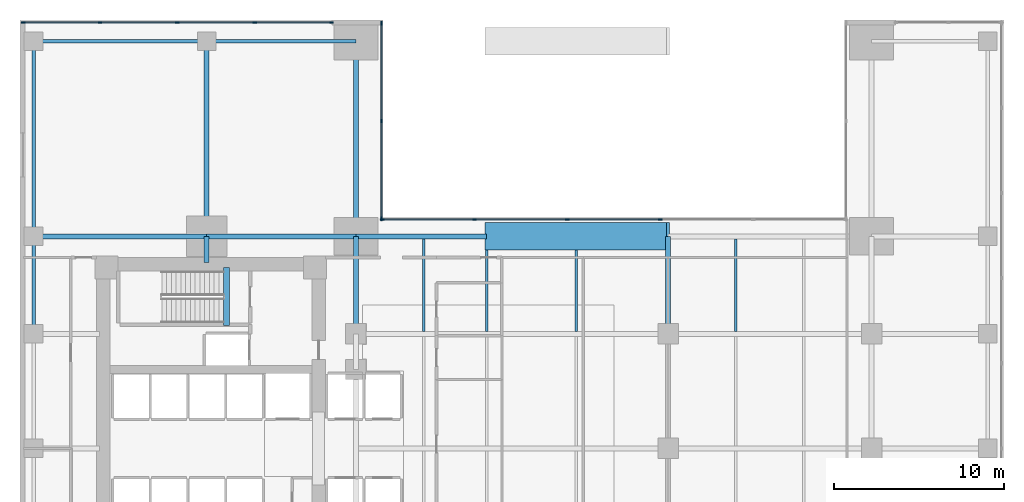
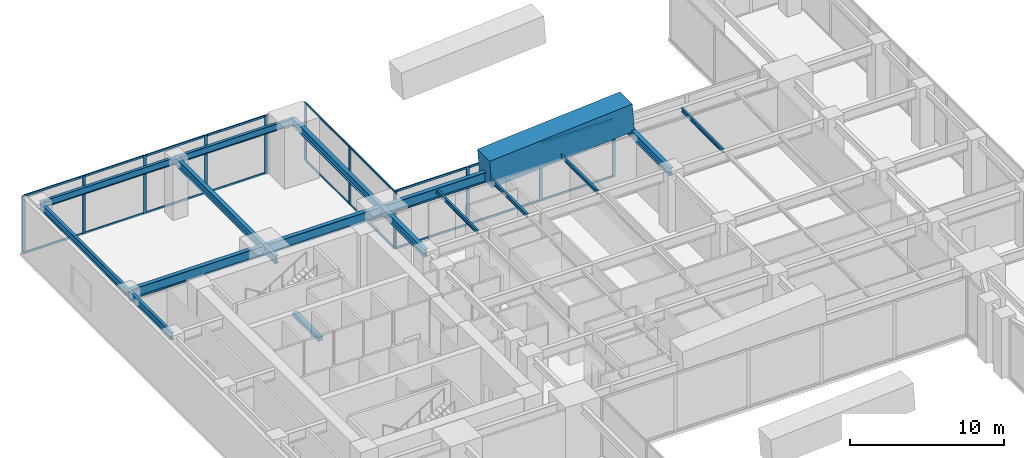
# One storey, part 5 of 13: 30 members, 18 beams, 3 elements without a shape of their own.
"""IFC4 building model written with IfcOpenShell, lengths in metres."""

from ifc_helpers import new_model, si_unit, direction, frame, origin, origin_2d, place, context, subcontext, project, spatial, rectangle, i_section, extrude, material, layer, layer_set, material_profile, profile_set, type_object, element, aggregate, save


model = new_model("IFC4")

# Units and contexts
model_context = context("Model", 3, precision=1e-05, world=origin(), true_north=direction((0.0, 1.0)))
body_context = subcontext(model_context, "Body", "Model", "MODEL_VIEW")
ifc_project = project(units=[si_unit("LENGTHUNIT", "METRE"), si_unit("AREAUNIT", "SQUARE_METRE"), si_unit("VOLUMEUNIT", "CUBIC_METRE"), si_unit("PLANEANGLEUNIT", "RADIAN"), si_unit("MASSUNIT", "GRAM", prefix="KILO")], contexts=[model_context])

# Site, building, storey
site_placement = place(None, origin())
site = spatial("IfcSite", under=ifc_project, at=site_placement, CompositionType="ELEMENT")
building_placement = place(site_placement, origin())
building = spatial("IfcBuilding", under=site, at=building_placement, Name="Kinhvarn Gate Tower", CompositionType="ELEMENT")
storey_placement = place(building_placement, frame((0.0, 0.0, 10.800048828125)))
storey = spatial("IfcBuildingStorey", under=building, at=storey_placement, Name="L02", CompositionType="ELEMENT", Elevation=10.800048828125)

# Beams
ifc_material_1 = material(Name="Concrete C70/85", Category="concrete")
ifc_material_profile_1 = material_profile(ifc_material_1, rectangle(XDim=1.60009765625, YDim=2.199951171875, at=origin_2d()), Name="RC 1600x2200")
ifc_profile_set_1 = profile_set([ifc_material_profile_1], Name="Concrete C70/85")
beam_type_1 = type_object("IfcBeamType", Name="BM-AR-2200", PredefinedType="BEAM", material=ifc_profile_set_1)
beam_1_placement = place(storey_placement, frame((27.5, 37.75, 4.800048828125), z_axis=(0.997217987756, 0.0, 0.074540491658), x_axis=(0.0, 1.0, 0.0)))
element("IfcBeam", 1, at=beam_1_placement, inside=storey, type_object=beam_type_1, Name="Portal Arch Crown Rib AR-02-3", PredefinedType="BEAM", context=body_context, shape_type="SweptSolid", body=[
    extrude(rectangle(XDim=1.60009765625, YDim=2.199951171875, at=origin_2d()), origin(), (0.0, 0.0, 1.0), 10.729736328125),
])
ifc_material_2 = material(Name="Concrete C50/60", Category="concrete")
ifc_material_profile_2 = material_profile(ifc_material_2, rectangle(XDim=0.340087890625, YDim=0.320068359375, at=origin_2d()), Name="RC 340x320")
ifc_profile_set_2 = profile_set([ifc_material_profile_2], Name="Concrete C50/60")
beam_type_2 = type_object("IfcBeamType", Name="BM-LND-500", PredefinedType="BEAM", material=ifc_profile_set_2)
beam_2_placement = place(storey_placement, frame((12.1650390625, 32.5, -0.16015625), z_axis=(0.0, 1.0, 0.0), x_axis=(-1.0, 0.0, 0.0)))
element("IfcBeam", 2, at=beam_2_placement, inside=storey, type_object=beam_type_2, Name="Stair ST2 Landing Nosing Beam (L02)", PredefinedType="BEAM", context=body_context, shape_type="SweptSolid", body=[
    extrude(rectangle(XDim=0.340087890625, YDim=0.320068359375, at=origin_2d()), origin(), (0.0, 0.0, 1.0), 3.39990234375),
])

# Curtain wall, members
ifc_material_3 = material(Name="Anodised aluminium AW-6063", Category="aluminium")
ifc_layer = layer(ifc_material_3, 0.219970703125)
ifc_layer_set = layer_set([ifc_layer], Name="Anodised aluminium AW-6063")
curtain_wall_type = type_object("IfcCurtainWallType", Name="CW-SYS-1", PredefinedType="NOTDEFINED", material=ifc_layer_set)
curtain_wall_1_placement = place(storey_placement, origin())
curtain_wall_1 = element("IfcCurtainWall", 3, at=curtain_wall_1_placement, inside=storey, type_object=curtain_wall_type, Name="Curtain Wall CW1 (L02)", PredefinedType="NOTDEFINED")
ifc_material_profile_3 = material_profile(ifc_material_3, rectangle(XDim=0.080078125, YDim=0.219970703125, at=origin_2d()), Name="ALU 80x220")
ifc_profile_set_3 = profile_set([ifc_material_profile_3], Name="Anodised aluminium AW-6063")
member_type_1 = type_object("IfcMemberType", Name="CW-MUL-220", PredefinedType="MULLION", material=ifc_profile_set_3)
member_1_placement = place(storey_placement, frame((18.360107421875, 50.35009765625, 0.0), z_axis=(0.0, 0.0, 1.0), x_axis=(0.0, -1.0, 0.0)))
member_1 = element("IfcMember", 4, at=member_1_placement, type_object=member_type_1, Name="CW1 mullion 1", PredefinedType="MULLION", context=body_context, shape_type="SweptSolid", body=[
    extrude(rectangle(XDim=0.080078125, YDim=0.219970703125, at=origin_2d()), origin(), (0.0, 0.0, 1.0), 4.599853515625),
])
member_2_placement = place(storey_placement, frame((13.83740234375, 50.35009765625, 0.0), z_axis=(0.0, 0.0, 1.0), x_axis=(0.0, -1.0, 0.0)))
member_2 = element("IfcMember", 5, at=member_2_placement, type_object=member_type_1, Name="CW1 mullion 2", PredefinedType="MULLION", context=body_context, shape_type="SweptSolid", body=[
    extrude(rectangle(XDim=0.080078125, YDim=0.219970703125, at=origin_2d()), origin(), (0.0, 0.0, 1.0), 4.599853515625),
])
member_3_placement = place(storey_placement, frame((9.27490234375, 50.35009765625, 0.0), z_axis=(0.0, 0.0, 1.0), x_axis=(0.0, -1.0, 0.0)))
member_3 = element("IfcMember", 6, at=member_3_placement, type_object=member_type_1, Name="CW1 mullion 3", PredefinedType="MULLION", context=body_context, shape_type="SweptSolid", body=[
    extrude(rectangle(XDim=0.080078125, YDim=0.219970703125, at=origin_2d()), origin(), (0.0, 0.0, 1.0), 4.599853515625),
])
member_4_placement = place(storey_placement, frame((4.71240234375, 50.35009765625, 0.0), z_axis=(0.0, 0.0, 1.0), x_axis=(0.0, -1.0, 0.0)))
member_4 = element("IfcMember", 7, at=member_4_placement, type_object=member_type_1, Name="CW1 mullion 4", PredefinedType="MULLION", context=body_context, shape_type="SweptSolid", body=[
    extrude(rectangle(XDim=0.080078125, YDim=0.219970703125, at=origin_2d()), origin(), (0.0, 0.0, 1.0), 4.599853515625),
])
member_5_placement = place(storey_placement, frame((0.18994140625, 50.35009765625, 0.0), z_axis=(0.0, 0.0, 1.0), x_axis=(0.0, -1.0, 0.0)))
member_5 = element("IfcMember", 8, at=member_5_placement, type_object=member_type_1, Name="CW1 mullion 5", PredefinedType="MULLION", context=body_context, shape_type="SweptSolid", body=[
    extrude(rectangle(XDim=0.080078125, YDim=0.219970703125, at=origin_2d()), origin(), (0.0, 0.0, 1.0), 4.599853515625),
])

curtain_wall_2_placement = place(storey_placement, origin())
curtain_wall_2 = element("IfcCurtainWall", 9, at=curtain_wall_2_placement, inside=storey, type_object=curtain_wall_type, Name="Curtain Wall CW1 (L02)", PredefinedType="NOTDEFINED")
member_6_placement = place(storey_placement, frame((37.738037109375, 38.739990234375, 0.0), z_axis=(0.0, 0.0, 1.0), x_axis=(0.0, -1.0, 0.0)))
member_6 = element("IfcMember", 10, at=member_6_placement, type_object=member_type_1, Name="CW1 mullion 3", PredefinedType="MULLION", context=body_context, shape_type="SweptSolid", body=[
    extrude(rectangle(XDim=0.080078125, YDim=0.219970703125, at=origin_2d()), origin(), (0.0, 0.0, 1.0), 4.599853515625),
])
member_7_placement = place(storey_placement, frame((32.261962890625, 38.739990234375, 0.0), z_axis=(0.0, 0.0, 1.0), x_axis=(0.0, -1.0, 0.0)))
member_7 = element("IfcMember", 11, at=member_7_placement, type_object=member_type_1, Name="CW1 mullion 4", PredefinedType="MULLION", context=body_context, shape_type="SweptSolid", body=[
    extrude(rectangle(XDim=0.080078125, YDim=0.219970703125, at=origin_2d()), origin(), (0.0, 0.0, 1.0), 4.599853515625),
])
member_8_placement = place(storey_placement, frame((26.785888671875, 38.739990234375, 0.0), z_axis=(0.0, 0.0, 1.0), x_axis=(0.0, -1.0, 0.0)))
member_8 = element("IfcMember", 12, at=member_8_placement, type_object=member_type_1, Name="CW1 mullion 5", PredefinedType="MULLION", context=body_context, shape_type="SweptSolid", body=[
    extrude(rectangle(XDim=0.080078125, YDim=0.219970703125, at=origin_2d()), origin(), (0.0, 0.0, 1.0), 4.599853515625),
])
member_9_placement = place(storey_placement, frame((21.35009765625, 38.739990234375, 0.0), z_axis=(0.0, 0.0, 1.0), x_axis=(0.0, -1.0, 0.0)))
member_9 = element("IfcMember", 13, at=member_9_placement, type_object=member_type_1, Name="CW1 mullion 6", PredefinedType="MULLION", context=body_context, shape_type="SweptSolid", body=[
    extrude(rectangle(XDim=0.080078125, YDim=0.219970703125, at=origin_2d()), origin(), (0.0, 0.0, 1.0), 4.599853515625),
])

curtain_wall_3_placement = place(storey_placement, origin())
curtain_wall_3 = element("IfcCurtainWall", 14, at=curtain_wall_3_placement, inside=storey, type_object=curtain_wall_type, Name="Curtain Wall CW1 (L02)", PredefinedType="NOTDEFINED")
member_10_placement = place(storey_placement, frame((21.31005859375, 38.780029296875, 0.0), z_axis=(0.0, 0.0, 1.0), x_axis=(-1.0, 0.0, 0.0)))
member_10 = element("IfcMember", 15, at=member_10_placement, type_object=member_type_1, Name="CW1 mullion 1", PredefinedType="MULLION", context=body_context, shape_type="SweptSolid", body=[
    extrude(rectangle(XDim=0.080078125, YDim=0.219970703125, at=origin_2d()), origin(), (0.0, 0.0, 1.0), 4.599853515625),
])
member_11_placement = place(storey_placement, frame((21.31005859375, 44.544921875, 0.0), z_axis=(0.0, 0.0, 1.0), x_axis=(-1.0, 0.0, 0.0)))
member_11 = element("IfcMember", 16, at=member_11_placement, type_object=member_type_1, Name="CW1 mullion 2", PredefinedType="MULLION", context=body_context, shape_type="SweptSolid", body=[
    extrude(rectangle(XDim=0.080078125, YDim=0.219970703125, at=origin_2d()), origin(), (0.0, 0.0, 1.0), 4.599853515625),
])
member_12_placement = place(storey_placement, frame((21.31005859375, 50.31005859375, 0.0), z_axis=(0.0, 0.0, 1.0), x_axis=(-1.0, 0.0, 0.0)))
member_12 = element("IfcMember", 17, at=member_12_placement, type_object=member_type_1, Name="CW1 mullion 3", PredefinedType="MULLION", context=body_context, shape_type="SweptSolid", body=[
    extrude(rectangle(XDim=0.080078125, YDim=0.219970703125, at=origin_2d()), origin(), (0.0, 0.0, 1.0), 4.599853515625),
])

# Member
ifc_material_profile_4 = material_profile(ifc_material_3, rectangle(XDim=0.080078125, YDim=0.159912109375, at=origin_2d()), Name="ALU 80x160")
ifc_profile_set_4 = profile_set([ifc_material_profile_4], Name="Anodised aluminium AW-6063")
member_type_2 = type_object("IfcMemberType", Name="CW-TRN-160", PredefinedType="USERDEFINED", material=ifc_profile_set_4)
member_13_placement = place(storey_placement, frame((18.320068359375, 50.35009765625, 0.0400390625), z_axis=(-1.0, 0.0, 0.0), x_axis=(0.0, -1.0, 0.0)))
member_13 = element("IfcMember", 18, at=member_13_placement, type_object=member_type_2, Name="CW1 transom 1.1", ObjectType="TRANSOM", PredefinedType="USERDEFINED", context=body_context, shape_type="SweptSolid", body=[
    extrude(rectangle(XDim=0.080078125, YDim=0.159912109375, at=origin_2d()), origin(), (0.0, 0.0, 1.0), 4.442626953125),
])

member_14_placement = place(storey_placement, frame((18.320068359375, 50.35009765625, 4.56005859375), z_axis=(-1.0, 0.0, 0.0), x_axis=(0.0, -1.0, 0.0)))
member_14 = element("IfcMember", 19, at=member_14_placement, type_object=member_type_2, Name="CW1 transom 1.2", ObjectType="TRANSOM", PredefinedType="USERDEFINED", context=body_context, shape_type="SweptSolid", body=[
    extrude(rectangle(XDim=0.080078125, YDim=0.159912109375, at=origin_2d()), origin(), (0.0, 0.0, 1.0), 4.442626953125),
])

member_15_placement = place(storey_placement, frame((13.797607421875, 50.35009765625, 0.0400390625), z_axis=(-1.0, 0.0, 0.0), x_axis=(0.0, -1.0, 0.0)))
member_15 = element("IfcMember", 20, at=member_15_placement, type_object=member_type_2, Name="CW1 transom 2.1", ObjectType="TRANSOM", PredefinedType="USERDEFINED", context=body_context, shape_type="SweptSolid", body=[
    extrude(rectangle(XDim=0.080078125, YDim=0.159912109375, at=origin_2d()), origin(), (0.0, 0.0, 1.0), 4.482666015625),
])

member_16_placement = place(storey_placement, frame((13.797607421875, 50.35009765625, 4.56005859375), z_axis=(-1.0, 0.0, 0.0), x_axis=(0.0, -1.0, 0.0)))
member_16 = element("IfcMember", 21, at=member_16_placement, type_object=member_type_2, Name="CW1 transom 2.2", ObjectType="TRANSOM", PredefinedType="USERDEFINED", context=body_context, shape_type="SweptSolid", body=[
    extrude(rectangle(XDim=0.080078125, YDim=0.159912109375, at=origin_2d()), origin(), (0.0, 0.0, 1.0), 4.482666015625),
])

member_17_placement = place(storey_placement, frame((9.235107421875, 50.35009765625, 0.0400390625), z_axis=(-1.0, 0.0, 0.0), x_axis=(0.0, -1.0, 0.0)))
member_17 = element("IfcMember", 22, at=member_17_placement, type_object=member_type_2, Name="CW1 transom 3.1", ObjectType="TRANSOM", PredefinedType="USERDEFINED", context=body_context, shape_type="SweptSolid", body=[
    extrude(rectangle(XDim=0.080078125, YDim=0.159912109375, at=origin_2d()), origin(), (0.0, 0.0, 1.0), 4.482666015625),
])

member_18_placement = place(storey_placement, frame((9.235107421875, 50.35009765625, 4.56005859375), z_axis=(-1.0, 0.0, 0.0), x_axis=(0.0, -1.0, 0.0)))
member_18 = element("IfcMember", 23, at=member_18_placement, type_object=member_type_2, Name="CW1 transom 3.2", ObjectType="TRANSOM", PredefinedType="USERDEFINED", context=body_context, shape_type="SweptSolid", body=[
    extrude(rectangle(XDim=0.080078125, YDim=0.159912109375, at=origin_2d()), origin(), (0.0, 0.0, 1.0), 4.482666015625),
])

member_19_placement = place(storey_placement, frame((4.672607421875, 50.35009765625, 0.0400390625), z_axis=(-1.0, 0.0, 0.0), x_axis=(0.0, -1.0, 0.0)))
member_19 = element("IfcMember", 24, at=member_19_placement, type_object=member_type_2, Name="CW1 transom 4.1", ObjectType="TRANSOM", PredefinedType="USERDEFINED", context=body_context, shape_type="SweptSolid", body=[
    extrude(rectangle(XDim=0.080078125, YDim=0.159912109375, at=origin_2d()), origin(), (0.0, 0.0, 1.0), 4.442626953125),
])

member_20_placement = place(storey_placement, frame((4.672607421875, 50.35009765625, 4.56005859375), z_axis=(-1.0, 0.0, 0.0), x_axis=(0.0, -1.0, 0.0)))
member_20 = element("IfcMember", 25, at=member_20_placement, type_object=member_type_2, Name="CW1 transom 4.2", ObjectType="TRANSOM", PredefinedType="USERDEFINED", context=body_context, shape_type="SweptSolid", body=[
    extrude(rectangle(XDim=0.080078125, YDim=0.159912109375, at=origin_2d()), origin(), (0.0, 0.0, 1.0), 4.442626953125),
])

aggregate(curtain_wall_1, [member_1, member_2, member_3, member_4, member_5, member_13, member_14, member_15, member_16, member_17, member_18, member_19, member_20])

member_21_placement = place(storey_placement, frame((37.697998046875, 38.739990234375, 0.0400390625), z_axis=(-1.0, 0.0, 0.0), x_axis=(0.0, -1.0, 0.0)))
member_21 = element("IfcMember", 26, at=member_21_placement, type_object=member_type_2, Name="CW1 transom 3.1", ObjectType="TRANSOM", PredefinedType="USERDEFINED", context=body_context, shape_type="SweptSolid", body=[
    extrude(rectangle(XDim=0.080078125, YDim=0.159912109375, at=origin_2d()), origin(), (0.0, 0.0, 1.0), 5.39599609375),
])

member_22_placement = place(storey_placement, frame((37.697998046875, 38.739990234375, 4.56005859375), z_axis=(-1.0, 0.0, 0.0), x_axis=(0.0, -1.0, 0.0)))
member_22 = element("IfcMember", 27, at=member_22_placement, type_object=member_type_2, Name="CW1 transom 3.2", ObjectType="TRANSOM", PredefinedType="USERDEFINED", context=body_context, shape_type="SweptSolid", body=[
    extrude(rectangle(XDim=0.080078125, YDim=0.159912109375, at=origin_2d()), origin(), (0.0, 0.0, 1.0), 5.39599609375),
])

member_23_placement = place(storey_placement, frame((32.221923828125, 38.739990234375, 0.0400390625), z_axis=(-1.0, 0.0, 0.0), x_axis=(0.0, -1.0, 0.0)))
member_23 = element("IfcMember", 28, at=member_23_placement, type_object=member_type_2, Name="CW1 transom 4.1", ObjectType="TRANSOM", PredefinedType="USERDEFINED", context=body_context, shape_type="SweptSolid", body=[
    extrude(rectangle(XDim=0.080078125, YDim=0.159912109375, at=origin_2d()), origin(), (0.0, 0.0, 1.0), 5.39599609375),
])

member_24_placement = place(storey_placement, frame((32.221923828125, 38.739990234375, 4.56005859375), z_axis=(-1.0, 0.0, 0.0), x_axis=(0.0, -1.0, 0.0)))
member_24 = element("IfcMember", 29, at=member_24_placement, type_object=member_type_2, Name="CW1 transom 4.2", ObjectType="TRANSOM", PredefinedType="USERDEFINED", context=body_context, shape_type="SweptSolid", body=[
    extrude(rectangle(XDim=0.080078125, YDim=0.159912109375, at=origin_2d()), origin(), (0.0, 0.0, 1.0), 5.39599609375),
])

member_25_placement = place(storey_placement, frame((26.74609375, 38.739990234375, 0.0400390625), z_axis=(-1.0, 0.0, 0.0), x_axis=(0.0, -1.0, 0.0)))
member_25 = element("IfcMember", 30, at=member_25_placement, type_object=member_type_2, Name="CW1 transom 5.1", ObjectType="TRANSOM", PredefinedType="USERDEFINED", context=body_context, shape_type="SweptSolid", body=[
    extrude(rectangle(XDim=0.080078125, YDim=0.159912109375, at=origin_2d()), origin(), (0.0, 0.0, 1.0), 5.356201171875),
])

member_26_placement = place(storey_placement, frame((26.74609375, 38.739990234375, 4.56005859375), z_axis=(-1.0, 0.0, 0.0), x_axis=(0.0, -1.0, 0.0)))
member_26 = element("IfcMember", 31, at=member_26_placement, type_object=member_type_2, Name="CW1 transom 5.2", ObjectType="TRANSOM", PredefinedType="USERDEFINED", context=body_context, shape_type="SweptSolid", body=[
    extrude(rectangle(XDim=0.080078125, YDim=0.159912109375, at=origin_2d()), origin(), (0.0, 0.0, 1.0), 5.356201171875),
])

aggregate(curtain_wall_2, [member_6, member_7, member_8, member_9, member_21, member_22, member_23, member_24, member_25, member_26])

member_27_placement = place(storey_placement, frame((21.31005859375, 38.820068359375, 0.0400390625), z_axis=(0.0, 1.0, 0.0), x_axis=(-1.0, 0.0, 0.0)))
member_27 = element("IfcMember", 32, at=member_27_placement, type_object=member_type_2, Name="CW1 transom 1.1", ObjectType="TRANSOM", PredefinedType="USERDEFINED", context=body_context, shape_type="SweptSolid", body=[
    extrude(rectangle(XDim=0.080078125, YDim=0.159912109375, at=origin_2d()), origin(), (0.0, 0.0, 1.0), 5.684814453125),
])

member_28_placement = place(storey_placement, frame((21.31005859375, 38.820068359375, 4.56005859375), z_axis=(0.0, 1.0, 0.0), x_axis=(-1.0, 0.0, 0.0)))
member_28 = element("IfcMember", 33, at=member_28_placement, type_object=member_type_2, Name="CW1 transom 1.2", ObjectType="TRANSOM", PredefinedType="USERDEFINED", context=body_context, shape_type="SweptSolid", body=[
    extrude(rectangle(XDim=0.080078125, YDim=0.159912109375, at=origin_2d()), origin(), (0.0, 0.0, 1.0), 5.684814453125),
])

member_29_placement = place(storey_placement, frame((21.31005859375, 44.5849609375, 0.0400390625), z_axis=(0.0, 1.0, 0.0), x_axis=(-1.0, 0.0, 0.0)))
member_29 = element("IfcMember", 34, at=member_29_placement, type_object=member_type_2, Name="CW1 transom 2.1", ObjectType="TRANSOM", PredefinedType="USERDEFINED", context=body_context, shape_type="SweptSolid", body=[
    extrude(rectangle(XDim=0.080078125, YDim=0.159912109375, at=origin_2d()), origin(), (0.0, 0.0, 1.0), 5.68505859375),
])

member_30_placement = place(storey_placement, frame((21.31005859375, 44.5849609375, 4.56005859375), z_axis=(0.0, 1.0, 0.0), x_axis=(-1.0, 0.0, 0.0)))
member_30 = element("IfcMember", 35, at=member_30_placement, type_object=member_type_2, Name="CW1 transom 2.2", ObjectType="TRANSOM", PredefinedType="USERDEFINED", context=body_context, shape_type="SweptSolid", body=[
    extrude(rectangle(XDim=0.080078125, YDim=0.159912109375, at=origin_2d()), origin(), (0.0, 0.0, 1.0), 5.68505859375),
])

aggregate(curtain_wall_3, [member_10, member_11, member_12, member_27, member_28, member_29, member_30])

# Beams
ifc_material_4 = material(Name="Steel S355", Category="steel")
ifc_material_profile_5 = material_profile(ifc_material_4, i_section(OverallWidth=0.300048828125, OverallDepth=0.60009765625, WebThickness=0.015380859375, FlangeThickness=0.030029296875, at=origin_2d()), Name="HEB 600")
ifc_profile_set_5 = profile_set([ifc_material_profile_5], Name="Steel S355")
beam_type_3 = type_object("IfcBeamType", Name="STL-HEB600", PredefinedType="BEAM", material=ifc_profile_set_5)
beam_3_placement = place(storey_placement, frame((11.0, 36.199951171875, 4.300048828125), z_axis=(0.0, 1.0, 0.0), x_axis=(-1.0, 0.0, 0.0)))
element("IfcBeam", 36, at=beam_3_placement, inside=storey, type_object=beam_type_3, Name="Floor Beam PG-16 (L02 NS11-CN)", PredefinedType="BEAM", context=body_context, shape_type="SweptSolid", body=[
    extrude(i_section(OverallWidth=0.300048828125, OverallDepth=0.60009765625, WebThickness=0.015380859375, FlangeThickness=0.030029296875, at=origin_2d()), origin(), (0.0, 0.0, 1.0), 1.550048828125),
])
beam_4_placement = place(storey_placement, frame((11.0, 37.75, 4.300048828125), z_axis=(0.0, 1.0, 0.0), x_axis=(-1.0, 0.0, 0.0)))
element("IfcBeam", 37, at=beam_4_placement, inside=storey, type_object=beam_type_3, Name="Floor Beam PG-16 (L02 NS11-N)", PredefinedType="BEAM", context=body_context, shape_type="SweptSolid", body=[
    extrude(i_section(OverallWidth=0.300048828125, OverallDepth=0.60009765625, WebThickness=0.015380859375, FlangeThickness=0.030029296875, at=origin_2d()), origin(), (0.0, 0.0, 1.0), 11.5),
])
beam_5_placement = place(storey_placement, frame((19.800048828125, 32.0, 4.300048828125), z_axis=(0.0, 1.0, 0.0), x_axis=(-1.0, 0.0, 0.0)))
element("IfcBeam", 38, at=beam_5_placement, inside=storey, type_object=beam_type_3, Name="Floor Beam PG-16 (L02 APW-6)", PredefinedType="BEAM", context=body_context, shape_type="SweptSolid", body=[
    extrude(i_section(OverallWidth=0.300048828125, OverallDepth=0.60009765625, WebThickness=0.015380859375, FlangeThickness=0.030029296875, at=origin_2d()), origin(), (0.0, 0.0, 1.0), 5.75),
])
beam_6_placement = place(storey_placement, frame((19.800048828125, 37.75, 4.300048828125), z_axis=(0.0, 1.0, 0.0), x_axis=(-1.0, 0.0, 0.0)))
element("IfcBeam", 39, at=beam_6_placement, inside=storey, type_object=beam_type_3, Name="Floor Beam PG-16 (L02 APW-7)", PredefinedType="BEAM", context=body_context, shape_type="SweptSolid", body=[
    extrude(i_section(OverallWidth=0.300048828125, OverallDepth=0.60009765625, WebThickness=0.015380859375, FlangeThickness=0.030029296875, at=origin_2d()), origin(), (0.0, 0.0, 1.0), 11.5),
])
beam_7_placement = place(storey_placement, frame((38.199951171875, 32.0, 4.300048828125), z_axis=(0.0, 1.0, 0.0), x_axis=(-1.0, 0.0, 0.0)))
element("IfcBeam", 40, at=beam_7_placement, inside=storey, type_object=beam_type_3, Name="Floor Beam PG-16 (L02 POD-NS38-32)", PredefinedType="BEAM", context=body_context, shape_type="SweptSolid", body=[
    extrude(i_section(OverallWidth=0.300048828125, OverallDepth=0.60009765625, WebThickness=0.015380859375, FlangeThickness=0.030029296875, at=origin_2d()), origin(), (0.0, 0.0, 1.0), 5.75),
])
ifc_material_profile_6 = material_profile(ifc_material_4, i_section(OverallWidth=0.300048828125, OverallDepth=0.800048828125, WebThickness=0.017578125, FlangeThickness=0.032958984375, at=origin_2d()), Name="HEB 800")
ifc_profile_set_6 = profile_set([ifc_material_profile_6], Name="Steel S355")
beam_type_4 = type_object("IfcBeamType", Name="STL-HEB800", PredefinedType="BEAM", material=ifc_profile_set_6)
beam_8_placement = place(storey_placement, frame((0.800048828125, 37.75, 4.199951171875), z_axis=(1.0, 0.0, 0.0), x_axis=(0.0, 1.0, 0.0)))
element("IfcBeam", 41, at=beam_8_placement, inside=storey, type_object=beam_type_4, Name="Floor Beam PG-19 (L02 SPN-1)", PredefinedType="BEAM", context=body_context, shape_type="SweptSolid", body=[
    extrude(i_section(OverallWidth=0.300048828125, OverallDepth=0.800048828125, WebThickness=0.017578125, FlangeThickness=0.032958984375, at=origin_2d()), origin(), (0.0, 0.0, 1.0), 10.199951171875),
])
beam_9_placement = place(storey_placement, frame((11.0, 37.75, 4.199951171875), z_axis=(1.0, 0.0, 0.0), x_axis=(0.0, 1.0, 0.0)))
element("IfcBeam", 42, at=beam_9_placement, inside=storey, type_object=beam_type_4, Name="Floor Beam PG-19 (L02 SPN-2)", PredefinedType="BEAM", context=body_context, shape_type="SweptSolid", body=[
    extrude(i_section(OverallWidth=0.300048828125, OverallDepth=0.800048828125, WebThickness=0.017578125, FlangeThickness=0.032958984375, at=origin_2d()), origin(), (0.0, 0.0, 1.0), 8.800048828125),
])
beam_10_placement = place(storey_placement, frame((19.800048828125, 37.75, 4.199951171875), z_axis=(1.0, 0.0, 0.0), x_axis=(0.0, 1.0, 0.0)))
element("IfcBeam", 43, at=beam_10_placement, inside=storey, type_object=beam_type_4, Name="Floor Beam PG-19 (L02 POD-N1)", PredefinedType="BEAM", context=body_context, shape_type="SweptSolid", body=[
    extrude(i_section(OverallWidth=0.300048828125, OverallDepth=0.800048828125, WebThickness=0.017578125, FlangeThickness=0.032958984375, at=origin_2d()), origin(), (0.0, 0.0, 1.0), 7.699951171875),
])
ifc_material_profile_7 = material_profile(ifc_material_4, i_section(OverallWidth=0.14990234375, OverallDepth=0.300048828125, WebThickness=0.007080078125, FlangeThickness=0.0107421875, at=origin_2d()), Name="IPE 300")
ifc_profile_set_7 = profile_set([ifc_material_profile_7], Name="Steel S355")
beam_type_5 = type_object("IfcBeamType", Name="STL-IPE300", PredefinedType="JOIST", material=ifc_profile_set_7)
beam_11_placement = place(storey_placement, frame((23.800048828125, 32.14990234375, 4.449951171875), z_axis=(0.0, 1.0, 0.0), x_axis=(-1.0, 0.0, 0.0)))
element("IfcBeam", 44, at=beam_11_placement, inside=storey, type_object=beam_type_5, Name="Floor Joist SB-02 (L02 POD-J238-32)", PredefinedType="JOIST", context=body_context, shape_type="SweptSolid", body=[
    extrude(i_section(OverallWidth=0.14990234375, OverallDepth=0.300048828125, WebThickness=0.007080078125, FlangeThickness=0.0107421875, at=origin_2d()), origin(), (0.0, 0.0, 1.0), 5.4501953125),
])
for number, where, z_axis, x_axis, name in (
    (45, (27.5, 32.14990234375, 4.449951171875), (0.0, 1.0, 0.0), (-1.0, 0.0, 0.0), "Floor Joist SB-02 (L02 POD-J275-32)"),
    (46, (32.800048828125, 32.14990234375, 4.449951171875), (0.0, 1.0, 0.0), (-1.0, 0.0, 0.0), "Floor Joist SB-02 (L02 POD-J328-32)"),
):
    element("IfcBeam", number, at=place(storey_placement, frame(where, z_axis=z_axis, x_axis=x_axis)), inside=storey, type_object=beam_type_5, Name=name, PredefinedType="JOIST", context=body_context, shape_type="SweptSolid", body=[
        extrude(i_section(OverallWidth=0.14990234375, OverallDepth=0.300048828125, WebThickness=0.007080078125, FlangeThickness=0.0107421875, at=origin_2d()), origin(), (0.0, 0.0, 1.0), 4.800048828125),
    ])
beam_12_placement = place(storey_placement, frame((42.199951171875, 32.14990234375, 4.449951171875), z_axis=(0.0, 1.0, 0.0), x_axis=(-1.0, 0.0, 0.0)))
element("IfcBeam", 47, at=beam_12_placement, inside=storey, type_object=beam_type_5, Name="Floor Joist SB-02 (L02 POD-J422-32)", PredefinedType="JOIST", context=body_context, shape_type="SweptSolid", body=[
    extrude(i_section(OverallWidth=0.14990234375, OverallDepth=0.300048828125, WebThickness=0.007080078125, FlangeThickness=0.0107421875, at=origin_2d()), origin(), (0.0, 0.0, 1.0), 5.4501953125),
])
ifc_material_profile_8 = material_profile(ifc_material_4, i_section(OverallWidth=0.2099609375, OverallDepth=0.550048828125, WebThickness=0.010986328125, FlangeThickness=0.01708984375, at=origin_2d()), Name="IPE 550")
ifc_profile_set_8 = profile_set([ifc_material_profile_8], Name="Steel S355")
beam_type_6 = type_object("IfcBeamType", Name="STL-IPE550", PredefinedType="SPANDREL", material=ifc_profile_set_8)
beam_13_placement = place(storey_placement, frame((0.800048828125, 32.0, 4.324951171875), z_axis=(0.0, 1.0, 0.0), x_axis=(-1.0, 0.0, 0.0)))
element("IfcBeam", 48, at=beam_13_placement, inside=storey, type_object=beam_type_6, Name="Floor Spandrel SB-08 (L02 PERW-5)", PredefinedType="SPANDREL", context=body_context, shape_type="SweptSolid", body=[
    extrude(i_section(OverallWidth=0.2099609375, OverallDepth=0.550048828125, WebThickness=0.010986328125, FlangeThickness=0.01708984375, at=origin_2d()), origin(), (0.0, 0.0, 1.0), 5.75),
])
beam_14_placement = place(storey_placement, frame((0.800048828125, 37.75, 4.324951171875), z_axis=(0.0, 1.0, 0.0), x_axis=(-1.0, 0.0, 0.0)))
element("IfcBeam", 49, at=beam_14_placement, inside=storey, type_object=beam_type_6, Name="Floor Spandrel SB-08 (L02 PERW-6)", PredefinedType="SPANDREL", context=body_context, shape_type="SweptSolid", body=[
    extrude(i_section(OverallWidth=0.2099609375, OverallDepth=0.550048828125, WebThickness=0.010986328125, FlangeThickness=0.01708984375, at=origin_2d()), origin(), (0.0, 0.0, 1.0), 11.5),
])
beam_15_placement = place(storey_placement, frame((0.800048828125, 49.25, 4.324951171875), z_axis=(1.0, 0.0, 0.0), x_axis=(0.0, 1.0, 0.0)))
element("IfcBeam", 50, at=beam_15_placement, inside=storey, type_object=beam_type_6, Name="Floor Spandrel SB-08 (L02 SP-POD-NW1)", PredefinedType="SPANDREL", context=body_context, shape_type="SweptSolid", body=[
    extrude(i_section(OverallWidth=0.2099609375, OverallDepth=0.550048828125, WebThickness=0.010986328125, FlangeThickness=0.01708984375, at=origin_2d()), origin(), (0.0, 0.0, 1.0), 10.199951171875),
])
beam_16_placement = place(storey_placement, frame((11.0, 49.25, 4.324951171875), z_axis=(1.0, 0.0, 0.0), x_axis=(0.0, 1.0, 0.0)))
element("IfcBeam", 51, at=beam_16_placement, inside=storey, type_object=beam_type_6, Name="Floor Spandrel SB-08 (L02 SP-POD-NW2)", PredefinedType="SPANDREL", context=body_context, shape_type="SweptSolid", body=[
    extrude(i_section(OverallWidth=0.2099609375, OverallDepth=0.550048828125, WebThickness=0.010986328125, FlangeThickness=0.01708984375, at=origin_2d()), origin(), (0.0, 0.0, 1.0), 8.800048828125),
])

save(model, "model.ifc")
